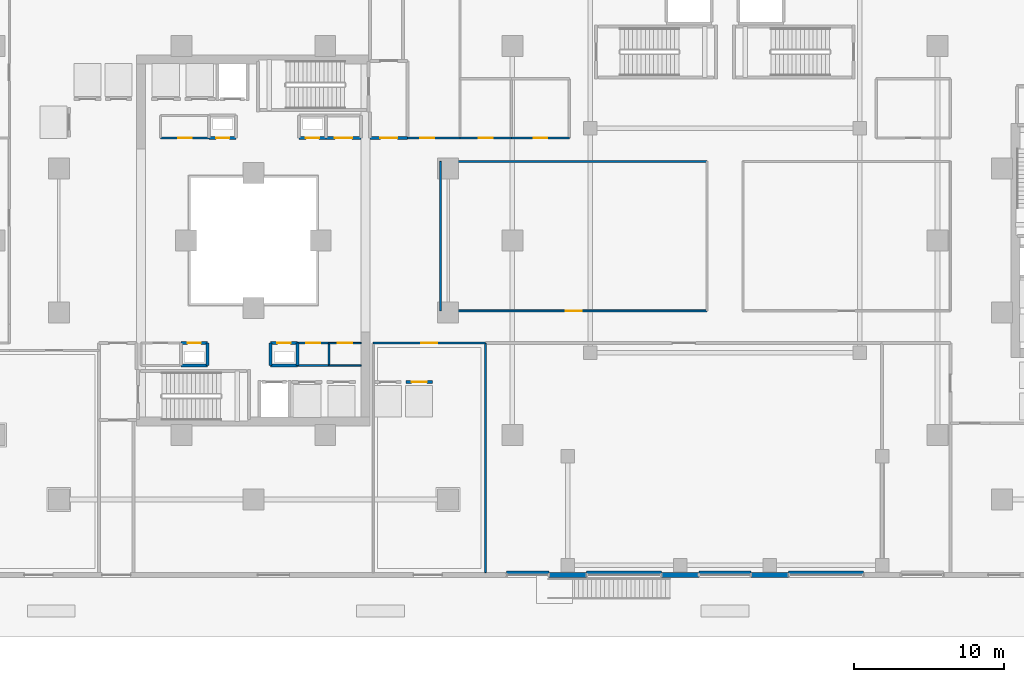
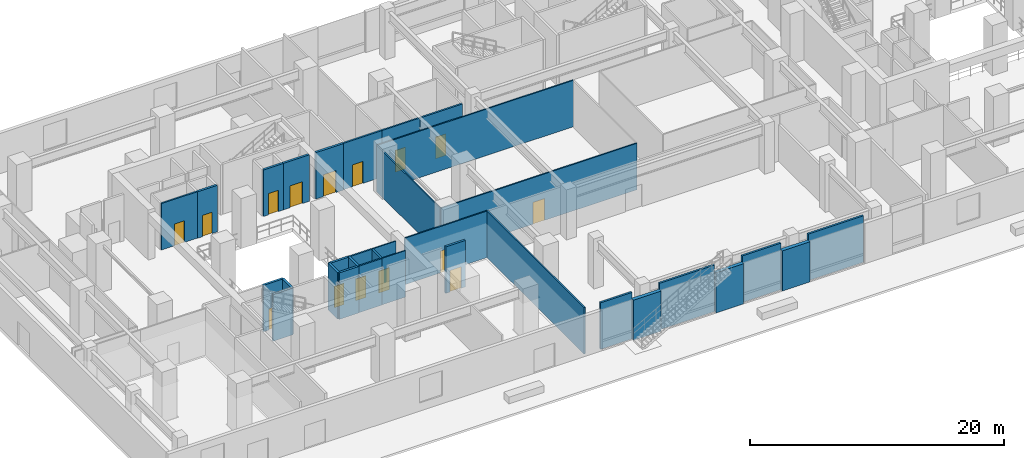
# One storey, part 13 of 24: 33 walls, 15 doors, 15 openings.
"""IFC4 building model written with IfcOpenShell, lengths in metres."""

from ifc_helpers import new_model, si_unit, direction, frame, frame_2d, origin, place, context, subcontext, project, spatial, rectangle, extrude, material, layer, layer_set, type_object, element, fill, save


model = new_model("IFC4")

# Units and contexts
model_context = context("Model", 3, precision=1e-05, world=origin(), true_north=direction((0.0, 1.0)))
body_context = subcontext(model_context, "Body", "Model", "MODEL_VIEW")
ifc_project = project(units=[si_unit("LENGTHUNIT", "METRE"), si_unit("AREAUNIT", "SQUARE_METRE"), si_unit("VOLUMEUNIT", "CUBIC_METRE"), si_unit("PLANEANGLEUNIT", "RADIAN"), si_unit("MASSUNIT", "GRAM", prefix="KILO")], contexts=[model_context])

# Site, building, storey
site_placement = place(None, origin())
site = spatial("IfcSite", under=ifc_project, at=site_placement, CompositionType="ELEMENT")
building_placement = place(site_placement, origin())
building = spatial("IfcBuilding", under=site, at=building_placement, Name="Thornwick Lancets Civic Towers", CompositionType="ELEMENT")
storey_placement = place(building_placement, origin())
storey = spatial("IfcBuildingStorey", under=building, at=storey_placement, Name="L00", CompositionType="ELEMENT", Elevation=0.0)

# Wall, opening, door
ifc_material_1 = material(Name="Concrete blockwork C40/50", Category="masonry")
ifc_layer_1 = layer(ifc_material_1, 0.199951171875, Name="Concrete blockwork C40/50")
ifc_layer_set_1 = layer_set([ifc_layer_1], Name="Concrete blockwork C40/50")
wall_type_1 = type_object("IfcWallType", Name="WALL_COMP_200", PredefinedType="STANDARD", material=ifc_layer_set_1)
wall_1_placement = place(storey_placement, frame((35.679931640625, 17.550048828125, 0.0), z_axis=(0.0, 0.0, 1.0), x_axis=(1.0, 0.0, 0.0)))
wall_1 = element("IfcWall", 1, at=wall_1_placement, inside=storey, type_object=wall_type_1, Name="L00 Hoistway Front Wall PL-AL3", PredefinedType="STANDARD", context=body_context, shape_type="SweptSolid", body=[
    extrude(rectangle(XDim=1.7900390625, YDim=0.199951171875, at=frame_2d((0.89501953125, 0.0))), origin(), (0.0, 0.0, 1.0), 4.4599609375),
])
opening_1_placement = place(wall_1_placement, frame((0.385009765625, 0.0, 0.0)))
opening_1 = element("IfcOpeningElement", 2, at=opening_1_placement, cuts=wall_1, Name="Opening LD-PL-AL3", PredefinedType="OPENING", context=body_context, shape_type="SweptSolid", body=[
    extrude(rectangle(XDim=1.02001953125, YDim=2.06005859375, at=frame_2d((0.510009765625, 1.030029296875))), frame((0.0, 0.10986328125, 0.0), z_axis=(0.0, -1.0, 0.0), x_axis=(1.0, 0.0, 0.0)), (0.0, 0.0, 1.0), 0.219970703125),
])
ifc_material_2 = material(Name="Brushed bronze stainless steel", Category="steel")
door_type_1 = type_object("IfcDoorType", Name="DOOR_LIFT_SLIDE", OperationType="SLIDING_TO_LEFT", PredefinedType="DOOR", material=ifc_material_2)
door_1_placement = place(opening_1_placement, origin())
door_1 = element("IfcDoor", 3, at=door_1_placement, inside=storey, type_object=door_type_1, Name="L00 Sliding Lift Landing Door LD-PL-AL3", OperationType="SLIDING_TO_LEFT", OverallHeight=2.06005859375, OverallWidth=1.02001953125, PredefinedType="DOOR", context=body_context, shape_type="SweptSolid", body=[
    extrude(rectangle(XDim=1.02001953125, YDim=2.06005859375, at=frame_2d((0.510009765625, 1.030029296875))), frame((0.0, 0.02490234375, 0.0), z_axis=(0.0, -1.0, 0.0), x_axis=(1.0, 0.0, 0.0)), (0.0, 0.0, 1.0), 0.050048828125),
])
fill(opening_1, door_1)

wall_2_placement = place(storey_placement, frame((33.300048828125, 33.85009765625, 0.0), z_axis=(0.0, 0.0, 1.0), x_axis=(1.0, 0.0, 0.0)))
wall_2 = element("IfcWall", 4, at=wall_2_placement, inside=storey, type_object=wall_type_1, Name="L00 Partition L00-A-FFLOB2 E1", PredefinedType="STANDARD", context=body_context, shape_type="SweptSolid", body=[
    extrude(rectangle(XDim=2.5, YDim=0.199951171875, at=frame_2d((1.25, 0.0))), origin(), (0.0, 0.0, 1.0), 4.4599609375),
])
opening_2_placement = place(wall_2_placement, frame((0.675048828125, 0.0, 0.0)))
opening_2 = element("IfcOpeningElement", 5, at=opening_2_placement, cuts=wall_2, Name="Opening D-L00-0046", PredefinedType="OPENING", context=body_context, shape_type="SweptSolid", body=[
    extrude(rectangle(XDim=1.14990234375, YDim=2.10009765625, at=frame_2d((0.574951171875, 1.050048828125))), frame((0.0, 0.10986328125, 0.0), z_axis=(0.0, -1.0, 0.0), x_axis=(1.0, 0.0, 0.0)), (0.0, 0.0, 1.0), 0.219970703125),
])
ifc_material_3 = material(Name="Glazed fire-resisting steel", Category="steel")
door_type_2 = type_object("IfcDoorType", Name="DOOR_LOBBY_FD60", OperationType="NOTDEFINED", PredefinedType="DOOR", material=ifc_material_3)
door_2_placement = place(opening_2_placement, origin())
door_2 = element("IfcDoor", 6, at=door_2_placement, inside=storey, type_object=door_type_2, Name="L00 North Firefighting Lobby 2 Door", OperationType="SINGLE_SWING_LEFT", OverallHeight=2.10009765625, OverallWidth=1.14990234375, PredefinedType="DOOR", context=body_context, shape_type="SweptSolid", body=[
    extrude(rectangle(XDim=1.14990234375, YDim=2.10009765625, at=frame_2d((0.574951171875, 1.050048828125))), frame((0.0, 0.02490234375, 0.0), z_axis=(0.0, -1.0, 0.0), x_axis=(1.0, 0.0, 0.0)), (0.0, 0.0, 1.0), 0.050048828125),
])
fill(opening_2, door_2)

# Walls
wall_3_placement = place(storey_placement, frame((26.64990234375, 18.64990234375, 0.0), z_axis=(0.0, 0.0, 1.0), x_axis=(1.0, 0.0, 0.0)))
element("IfcWall", 7, at=wall_3_placement, inside=storey, type_object=wall_type_1, Name="L00 Partition L00-A-DUCT1 E1", PredefinedType="STANDARD", context=body_context, shape_type="SweptSolid", body=[
    extrude(rectangle(XDim=1.800048828125, YDim=0.199951171875, at=frame_2d((0.89990234375, 0.0))), origin(), (0.0, 0.0, 1.0), 4.4599609375),
])
wall_4_placement = place(storey_placement, frame((28.449951171875, 18.64990234375, 0.0), z_axis=(0.0, 0.0, 1.0), x_axis=(0.0, 1.0, 0.0)))
element("IfcWall", 8, at=wall_4_placement, inside=storey, type_object=wall_type_1, Name="L00 Partition L00-A-DUCT1 E2", PredefinedType="STANDARD", context=body_context, shape_type="SweptSolid", body=[
    extrude(rectangle(XDim=1.5, YDim=0.199951171875, at=frame_2d((0.75, 0.0))), origin(), (0.0, 0.0, 1.0), 4.4599609375),
])

# Wall, opening, door
wall_5_placement = place(storey_placement, frame((28.449951171875, 20.14990234375, 0.0), z_axis=(0.0, 0.0, 1.0), x_axis=(-1.0, 0.0, 0.0)))
wall_5 = element("IfcWall", 9, at=wall_5_placement, inside=storey, type_object=wall_type_1, Name="L00 Partition L00-A-DUCT1 E3", PredefinedType="STANDARD", context=body_context, shape_type="SweptSolid", body=[
    extrude(rectangle(XDim=1.800048828125, YDim=0.199951171875, at=frame_2d((0.89990234375, 0.0))), origin(), (0.0, 0.0, 1.0), 4.4599609375),
])
opening_3_placement = place(wall_5_placement, frame((0.4599609375, 0.0, 0.0)))
opening_3 = element("IfcOpeningElement", 10, at=opening_3_placement, cuts=wall_5, Name="Opening D-L00-0047", PredefinedType="OPENING", context=body_context, shape_type="SweptSolid", body=[
    extrude(rectangle(XDim=0.8798828125, YDim=2.0400390625, at=frame_2d((0.43994140625, 1.02001953125))), frame((0.0, 0.10986328125, 0.0), z_axis=(0.0, -1.0, 0.0), x_axis=(1.0, 0.0, 0.0)), (0.0, 0.0, 1.0), 0.219970703125),
])
ifc_material_4 = material(Name="Steel riser access doorset", Category="steel")
door_type_3 = type_object("IfcDoorType", Name="DOOR_RISER_850", OperationType="NOTDEFINED", PredefinedType="DOOR", material=ifc_material_4)
door_3_placement = place(opening_3_placement, origin())
door_3 = element("IfcDoor", 11, at=door_3_placement, inside=storey, type_object=door_type_3, Name="L00 South Service Duct 1 Door", OperationType="SINGLE_SWING_RIGHT", OverallHeight=2.0400390625, OverallWidth=0.8798828125, PredefinedType="DOOR", context=body_context, shape_type="SweptSolid", body=[
    extrude(rectangle(XDim=0.8798828125, YDim=2.0400390625, at=frame_2d((0.43994140625, 1.02001953125))), frame((0.0, 0.02490234375, 0.0), z_axis=(0.0, -1.0, 0.0), x_axis=(1.0, 0.0, 0.0)), (0.0, 0.0, 1.0), 0.050048828125),
])
fill(opening_3, door_3)

# Walls
wall_6_placement = place(storey_placement, frame((26.64990234375, 20.14990234375, 0.0), z_axis=(0.0, 0.0, 1.0), x_axis=(0.0, -1.0, 0.0)))
element("IfcWall", 12, at=wall_6_placement, inside=storey, type_object=wall_type_1, Name="L00 Partition L00-A-DUCT1 E4", PredefinedType="STANDARD", context=body_context, shape_type="SweptSolid", body=[
    extrude(rectangle(XDim=1.5, YDim=0.199951171875, at=frame_2d((0.75, 0.0))), origin(), (0.0, 0.0, 1.0), 4.4599609375),
])
wall_7_placement = place(storey_placement, frame((20.64990234375, 18.64990234375, 0.0), z_axis=(0.0, 0.0, 1.0), x_axis=(1.0, 0.0, 0.0)))
element("IfcWall", 13, at=wall_7_placement, inside=storey, type_object=wall_type_1, Name="L00 Partition L00-A-RISER1 E1", PredefinedType="STANDARD", context=body_context, shape_type="SweptSolid", body=[
    extrude(rectangle(XDim=1.800048828125, YDim=0.199951171875, at=frame_2d((0.89990234375, 0.0))), origin(), (0.0, 0.0, 1.0), 4.4599609375),
])
wall_8_placement = place(storey_placement, frame((22.449951171875, 18.64990234375, 0.0), z_axis=(0.0, 0.0, 1.0), x_axis=(0.0, 1.0, 0.0)))
element("IfcWall", 14, at=wall_8_placement, inside=storey, type_object=wall_type_1, Name="L00 Partition L00-A-RISER1 E2", PredefinedType="STANDARD", context=body_context, shape_type="SweptSolid", body=[
    extrude(rectangle(XDim=1.5, YDim=0.199951171875, at=frame_2d((0.75, 0.0))), origin(), (0.0, 0.0, 1.0), 4.4599609375),
])

# Wall, opening, door
wall_9_placement = place(storey_placement, frame((22.449951171875, 20.14990234375, 0.0), z_axis=(0.0, 0.0, 1.0), x_axis=(-1.0, 0.0, 0.0)))
wall_9 = element("IfcWall", 15, at=wall_9_placement, inside=storey, type_object=wall_type_1, Name="L00 Partition L00-A-RISER1 E3", PredefinedType="STANDARD", context=body_context, shape_type="SweptSolid", body=[
    extrude(rectangle(XDim=1.800048828125, YDim=0.199951171875, at=frame_2d((0.89990234375, 0.0))), origin(), (0.0, 0.0, 1.0), 4.4599609375),
])
opening_4_placement = place(wall_9_placement, frame((0.4599609375, 0.0, 0.0)))
opening_4 = element("IfcOpeningElement", 16, at=opening_4_placement, cuts=wall_9, Name="Opening D-L00-0048", PredefinedType="OPENING", context=body_context, shape_type="SweptSolid", body=[
    extrude(rectangle(XDim=0.8798828125, YDim=2.0400390625, at=frame_2d((0.43994140625, 1.02001953125))), frame((0.0, 0.10986328125, 0.0), z_axis=(0.0, -1.0, 0.0), x_axis=(1.0, 0.0, 0.0)), (0.0, 0.0, 1.0), 0.219970703125),
])
door_4_placement = place(opening_4_placement, origin())
door_4 = element("IfcDoor", 17, at=door_4_placement, inside=storey, type_object=door_type_3, Name="L00 South Electrical Riser 1 Door", OperationType="SINGLE_SWING_LEFT", OverallHeight=2.0400390625, OverallWidth=0.8798828125, PredefinedType="DOOR", context=body_context, shape_type="SweptSolid", body=[
    extrude(rectangle(XDim=0.8798828125, YDim=2.0400390625, at=frame_2d((0.43994140625, 1.02001953125))), frame((0.0, 0.02490234375, 0.0), z_axis=(0.0, -1.0, 0.0), x_axis=(1.0, 0.0, 0.0)), (0.0, 0.0, 1.0), 0.050048828125),
])
fill(opening_4, door_4)

wall_10_placement = place(storey_placement, frame((22.550048828125, 33.85009765625, 0.0), z_axis=(0.0, 0.0, 1.0), x_axis=(1.0, 0.0, 0.0)))
wall_10 = element("IfcWall", 18, at=wall_10_placement, inside=storey, type_object=wall_type_1, Name="L00 Partition L00-A-DUCT2 E1", PredefinedType="STANDARD", context=body_context, shape_type="SweptSolid", body=[
    extrude(rectangle(XDim=1.800048828125, YDim=0.199951171875, at=frame_2d((0.89990234375, 0.0))), origin(), (0.0, 0.0, 1.0), 4.4599609375),
])
opening_5_placement = place(wall_10_placement, frame((0.4599609375, 0.0, 0.0)))
opening_5 = element("IfcOpeningElement", 19, at=opening_5_placement, cuts=wall_10, Name="Opening D-L00-0049", PredefinedType="OPENING", context=body_context, shape_type="SweptSolid", body=[
    extrude(rectangle(XDim=0.8798828125, YDim=2.0400390625, at=frame_2d((0.43994140625, 1.02001953125))), frame((0.0, 0.10986328125, 0.0), z_axis=(0.0, -1.0, 0.0), x_axis=(1.0, 0.0, 0.0)), (0.0, 0.0, 1.0), 0.219970703125),
])
door_5_placement = place(opening_5_placement, origin())
door_5 = element("IfcDoor", 20, at=door_5_placement, inside=storey, type_object=door_type_3, Name="L00 North Service Duct 2 Door", OperationType="SINGLE_SWING_RIGHT", OverallHeight=2.0400390625, OverallWidth=0.8798828125, PredefinedType="DOOR", context=body_context, shape_type="SweptSolid", body=[
    extrude(rectangle(XDim=0.8798828125, YDim=2.0400390625, at=frame_2d((0.43994140625, 1.02001953125))), frame((0.0, 0.02490234375, 0.0), z_axis=(0.0, -1.0, 0.0), x_axis=(1.0, 0.0, 0.0)), (0.0, 0.0, 1.0), 0.050048828125),
])
fill(opening_5, door_5)

wall_11_placement = place(storey_placement, frame((28.550048828125, 33.85009765625, 0.0), z_axis=(0.0, 0.0, 1.0), x_axis=(1.0, 0.0, 0.0)))
wall_11 = element("IfcWall", 21, at=wall_11_placement, inside=storey, type_object=wall_type_1, Name="L00 Partition L00-A-RISER2 E1", PredefinedType="STANDARD", context=body_context, shape_type="SweptSolid", body=[
    extrude(rectangle(XDim=1.800048828125, YDim=0.199951171875, at=frame_2d((0.89990234375, 0.0))), origin(), (0.0, 0.0, 1.0), 4.4599609375),
])
opening_6_placement = place(wall_11_placement, frame((0.4599609375, 0.0, 0.0)))
opening_6 = element("IfcOpeningElement", 22, at=opening_6_placement, cuts=wall_11, Name="Opening D-L00-0050", PredefinedType="OPENING", context=body_context, shape_type="SweptSolid", body=[
    extrude(rectangle(XDim=0.8798828125, YDim=2.0400390625, at=frame_2d((0.43994140625, 1.02001953125))), frame((0.0, 0.10986328125, 0.0), z_axis=(0.0, -1.0, 0.0), x_axis=(1.0, 0.0, 0.0)), (0.0, 0.0, 1.0), 0.219970703125),
])
door_6_placement = place(opening_6_placement, origin())
door_6 = element("IfcDoor", 23, at=door_6_placement, inside=storey, type_object=door_type_3, Name="L00 North Service Riser 2 Door", OperationType="SINGLE_SWING_LEFT", OverallHeight=2.0400390625, OverallWidth=0.8798828125, PredefinedType="DOOR", context=body_context, shape_type="SweptSolid", body=[
    extrude(rectangle(XDim=0.8798828125, YDim=2.0400390625, at=frame_2d((0.43994140625, 1.02001953125))), frame((0.0, 0.02490234375, 0.0), z_axis=(0.0, -1.0, 0.0), x_axis=(1.0, 0.0, 0.0)), (0.0, 0.0, 1.0), 0.050048828125),
])
fill(opening_6, door_6)

wall_12_placement = place(storey_placement, frame((32.699951171875, 33.85009765625, 0.0), z_axis=(0.0, 0.0, 1.0), x_axis=(-1.0, 0.0, 0.0)))
wall_12 = element("IfcWall", 24, at=wall_12_placement, inside=storey, type_object=wall_type_1, Name="L00 Partition L00-A-STR E2", PredefinedType="STANDARD", context=body_context, shape_type="SweptSolid", body=[
    extrude(rectangle(XDim=2.349853515625, YDim=0.199951171875, at=frame_2d((1.1748046875, 0.0))), origin(), (0.0, 0.0, 1.0), 4.4599609375),
])
opening_7_placement = place(wall_12_placement, frame((0.60009765625, 0.0, 0.0)))
opening_7 = element("IfcOpeningElement", 25, at=opening_7_placement, cuts=wall_12, Name="Opening D-L00-0055", PredefinedType="OPENING", context=body_context, shape_type="SweptSolid", body=[
    extrude(rectangle(XDim=1.14990234375, YDim=2.10009765625, at=frame_2d((0.574951171875, 1.050048828125))), frame((0.0, 0.10986328125, 0.0), z_axis=(0.0, -1.0, 0.0), x_axis=(1.0, 0.0, 0.0)), (0.0, 0.0, 1.0), 0.219970703125),
])
door_7_placement = place(opening_7_placement, origin())
door_7 = element("IfcDoor", 26, at=door_7_placement, inside=storey, type_object=door_type_2, Name="L00 Tower A Core Equipment Store Door", OperationType="SINGLE_SWING_RIGHT", OverallHeight=2.10009765625, OverallWidth=1.14990234375, PredefinedType="DOOR", context=body_context, shape_type="SweptSolid", body=[
    extrude(rectangle(XDim=1.14990234375, YDim=2.10009765625, at=frame_2d((0.574951171875, 1.050048828125))), frame((0.0, 0.02490234375, 0.0), z_axis=(0.0, -1.0, 0.0), x_axis=(1.0, 0.0, 0.0)), (0.0, 0.0, 1.0), 0.050048828125),
])
fill(opening_7, door_7)

# Walls
ifc_material_5 = material(Name="Insulated buff terracotta rainscreen on concrete C40/50", Category="masonry")
ifc_layer_2 = layer(ifc_material_5, 0.320068359375, Name="Insulated buff terracotta rainscreen on concrete C40/50")
ifc_layer_set_2 = layer_set([ifc_layer_2], Name="Insulated buff terracotta rainscreen on concrete C40/50")
wall_type_2 = type_object("IfcWallType", Name="WALL_EXT_TERRA_320", PredefinedType="STANDARD", material=ifc_layer_set_2)
for number, where, z_axis, x_axis, name in (
    (27, (45.25, 4.659912109375, 0.0), (0.0, 0.0, 1.0), (1.0, 0.0, 0.0), "L00 Podium South Facade Pier 1"),
    (28, (52.75, 4.659912109375, 0.0), (0.0, 0.0, 1.0), (1.0, 0.0, 0.0), "L00 Podium South Facade Pier 2"),
    (29, (58.75, 4.659912109375, 0.0), (0.0, 0.0, 1.0), (1.0, 0.0, 0.0), "L00 Podium South Facade Pier 3"),
):
    element("IfcWall", number, at=place(storey_placement, frame(where, z_axis=z_axis, x_axis=x_axis)), inside=storey, type_object=wall_type_2, Name=name, PredefinedType="STANDARD", context=body_context, shape_type="SweptSolid", body=[
        extrude(rectangle(XDim=2.5, YDim=0.320068359375, at=frame_2d((1.25, 0.0))), origin(), (0.0, 0.0, 1.0), 3.860107421875),
    ])
ifc_material_6 = material(Name="Lightweight cellular office partition")
ifc_layer_3 = layer(ifc_material_6, 0.10009765625, Name="Lightweight cellular office partition")
ifc_layer_set_3 = layer_set([ifc_layer_3], Name="Lightweight cellular office partition")
wall_type_3 = type_object("IfcWallType", Name="WALL_PART_100", PredefinedType="PARTITIONING", material=ifc_layer_set_3)
wall_13_placement = place(storey_placement, frame((32.699951171875, 18.64990234375, 0.0), z_axis=(0.0, 0.0, 1.0), x_axis=(-1.0, 0.0, 0.0)))
element("IfcWall", 30, at=wall_13_placement, inside=storey, type_object=wall_type_3, Name="L00 Partition L00-A-CLN E2", PredefinedType="PARTITIONING", context=body_context, shape_type="SweptSolid", body=[
    extrude(rectangle(XDim=2.14990234375, YDim=0.10009765625, at=frame_2d((1.074951171875, 0.0))), origin(), (0.0, 0.0, 1.0), 4.4599609375),
])

# Wall, opening, door
wall_14_placement = place(storey_placement, frame((30.550048828125, 20.14990234375, 0.0), z_axis=(0.0, 0.0, 1.0), x_axis=(1.0, 0.0, 0.0)))
wall_14 = element("IfcWall", 31, at=wall_14_placement, inside=storey, type_object=wall_type_3, Name="L00 Partition L00-A-CLN E4", PredefinedType="PARTITIONING", context=body_context, shape_type="SweptSolid", body=[
    extrude(rectangle(XDim=2.14990234375, YDim=0.10009765625, at=frame_2d((1.074951171875, 0.0))), origin(), (0.0, 0.0, 1.0), 4.4599609375),
])
opening_8_placement = place(wall_14_placement, frame((0.60009765625, 0.0, 0.0)))
opening_8 = element("IfcOpeningElement", 32, at=opening_8_placement, cuts=wall_14, Name="Opening D-L00-0053", PredefinedType="OPENING", context=body_context, shape_type="SweptSolid", body=[
    extrude(rectangle(XDim=0.949951171875, YDim=2.10009765625, at=frame_2d((0.47509765625, 1.050048828125))), frame((0.0, 0.06005859375, 0.0), z_axis=(0.0, -1.0, 0.0), x_axis=(1.0, 0.0, 0.0)), (0.0, 0.0, 1.0), 0.1201171875),
])
ifc_material_7 = material(Name="European oak acoustic doorset")
door_type_4 = type_object("IfcDoorType", Name="DOOR_OFFICE_950", OperationType="NOTDEFINED", PredefinedType="DOOR", material=ifc_material_7)
door_8_placement = place(opening_8_placement, origin())
door_8 = element("IfcDoor", 33, at=door_8_placement, inside=storey, type_object=door_type_4, Name="L00 Tower A Cleaners Store Door", OperationType="SINGLE_SWING_RIGHT", OverallHeight=2.10009765625, OverallWidth=0.949951171875, PredefinedType="DOOR", context=body_context, shape_type="SweptSolid", body=[
    extrude(rectangle(XDim=0.949951171875, YDim=2.10009765625, at=frame_2d((0.47509765625, 1.050048828125))), frame((0.0, 0.02490234375, 0.0), z_axis=(0.0, -1.0, 0.0), x_axis=(1.0, 0.0, 0.0)), (0.0, 0.0, 1.0), 0.050048828125),
])
fill(opening_8, door_8)

ifc_material_8 = material(Name="Acoustic gypsum board partition")
ifc_layer_4 = layer(ifc_material_8, 0.1201171875, Name="Acoustic gypsum board partition")
ifc_layer_set_4 = layer_set([ifc_layer_4], Name="Acoustic gypsum board partition")
wall_type_4 = type_object("IfcWallType", Name="WALL_PART_120", PredefinedType="PARTITIONING", material=ifc_layer_set_4)
wall_15_placement = place(storey_placement, frame((33.5, 20.14990234375, 0.0), z_axis=(0.0, 0.0, 1.0), x_axis=(1.0, 0.0, 0.0)))
wall_15 = element("IfcWall", 34, at=wall_15_placement, inside=storey, type_object=wall_type_4, Name="L00 Partition L00-SEC E3", PredefinedType="PARTITIONING", context=body_context, shape_type="SweptSolid", body=[
    extrude(rectangle(XDim=7.5, YDim=0.1201171875, at=frame_2d((3.75, 0.0))), origin(), (0.0, 0.0, 1.0), 4.4599609375),
])
opening_9_placement = place(wall_15_placement, frame((3.22509765625, 0.0, 0.0)))
opening_9 = element("IfcOpeningElement", 35, at=opening_9_placement, cuts=wall_15, Name="Opening D-L00-0075", PredefinedType="OPENING", context=body_context, shape_type="SweptSolid", body=[
    extrude(rectangle(XDim=1.050048828125, YDim=2.10009765625, at=frame_2d((0.52490234375, 1.050048828125))), frame((0.0, 0.070068359375, 0.0), z_axis=(0.0, -1.0, 0.0), x_axis=(1.0, 0.0, 0.0)), (0.0, 0.0, 1.0), 0.14013671875),
])
ifc_material_9 = material(Name="Glazed European oak executive doorset")
door_type_5 = type_object("IfcDoorType", Name="DOOR_OFFICE_1050", OperationType="NOTDEFINED", PredefinedType="DOOR", material=ifc_material_9)
door_9_placement = place(opening_9_placement, origin())
door_9 = element("IfcDoor", 36, at=door_9_placement, inside=storey, type_object=door_type_5, Name="Civic Security Screening Vestibule Door", OperationType="SINGLE_SWING_RIGHT", OverallHeight=2.10009765625, OverallWidth=1.050048828125, PredefinedType="DOOR", context=body_context, shape_type="SweptSolid", body=[
    extrude(rectangle(XDim=1.050048828125, YDim=2.10009765625, at=frame_2d((0.52490234375, 1.050048828125))), frame((0.0, 0.02490234375, 0.0), z_axis=(0.0, -1.0, 0.0), x_axis=(1.0, 0.0, 0.0)), (0.0, 0.0, 1.0), 0.050048828125),
])
fill(opening_9, door_9)

# Wall
wall_16_placement = place(storey_placement, frame((41.0, 20.14990234375, 0.0), z_axis=(0.0, 0.0, 1.0), x_axis=(0.0, -1.0, 0.0)))
element("IfcWall", 37, at=wall_16_placement, inside=storey, type_object=wall_type_4, Name="L00 Partition L00-SEC E4", PredefinedType="PARTITIONING", context=body_context, shape_type="SweptSolid", body=[
    extrude(rectangle(XDim=15.329833984375, YDim=0.1201171875, at=frame_2d((7.6650390625, 0.0))), origin(), (0.0, 0.0, 1.0), 4.4599609375),
])

# Wall, opening, door
wall_17_placement = place(storey_placement, frame((55.800048828125, 22.300048828125, 0.0), z_axis=(0.0, 0.0, 1.0), x_axis=(-1.0, 0.0, 0.0)))
wall_17 = element("IfcWall", 38, at=wall_17_placement, inside=storey, type_object=wall_type_4, Name="L00 Partition L00-CENTW E1", PredefinedType="PARTITIONING", context=body_context, shape_type="SweptSolid", body=[
    extrude(rectangle(XDim=17.800048828125, YDim=0.1201171875, at=frame_2d((8.89990234375, 0.0))), origin(), (0.0, 0.0, 1.0), 4.4599609375),
])
opening_10_placement = place(wall_17_placement, frame((8.375, 0.0, 0.0)))
opening_10 = element("IfcOpeningElement", 39, at=opening_10_placement, cuts=wall_17, Name="Opening D-L00-0081", PredefinedType="OPENING", context=body_context, shape_type="SweptSolid", body=[
    extrude(rectangle(XDim=1.050048828125, YDim=2.10009765625, at=frame_2d((0.52490234375, 1.050048828125))), frame((0.0, 0.070068359375, 0.0), z_axis=(0.0, -1.0, 0.0), x_axis=(1.0, 0.0, 0.0)), (0.0, 0.0, 1.0), 0.14013671875),
])
door_10_placement = place(opening_10_placement, origin())
door_10 = element("IfcDoor", 40, at=door_10_placement, inside=storey, type_object=door_type_5, Name="Civic Credentials Desk Suite Door", OperationType="SINGLE_SWING_RIGHT", OverallHeight=2.10009765625, OverallWidth=1.050048828125, PredefinedType="DOOR", context=body_context, shape_type="SweptSolid", body=[
    extrude(rectangle(XDim=1.050048828125, YDim=2.10009765625, at=frame_2d((0.52490234375, 1.050048828125))), frame((0.0, 0.02490234375, 0.0), z_axis=(0.0, -1.0, 0.0), x_axis=(1.0, 0.0, 0.0)), (0.0, 0.0, 1.0), 0.050048828125),
])
fill(opening_10, door_10)

# Walls
wall_18_placement = place(storey_placement, frame((38.0, 22.300048828125, 0.0), z_axis=(0.0, 0.0, 1.0), x_axis=(0.0, 1.0, 0.0)))
element("IfcWall", 41, at=wall_18_placement, inside=storey, type_object=wall_type_4, Name="L00 Partition L00-CENTW E2", PredefinedType="PARTITIONING", context=body_context, shape_type="SweptSolid", body=[
    extrude(rectangle(XDim=9.97998046875, YDim=0.1201171875, at=frame_2d((4.989990234375, 0.0))), origin(), (0.0, 0.0, 1.0), 4.4599609375),
])
wall_19_placement = place(storey_placement, frame((38.0, 32.280029296875, 0.0), z_axis=(0.0, 0.0, 1.0), x_axis=(1.0, 0.0, 0.0)))
element("IfcWall", 42, at=wall_19_placement, inside=storey, type_object=wall_type_4, Name="L00 Partition L00-CENTW E3", PredefinedType="PARTITIONING", context=body_context, shape_type="SweptSolid", body=[
    extrude(rectangle(XDim=17.800048828125, YDim=0.1201171875, at=frame_2d((8.89990234375, 0.0))), origin(), (0.0, 0.0, 1.0), 4.4599609375),
])
ifc_material_10 = material(Name="Twin-stud acoustic gypsum board")
ifc_layer_5 = layer(ifc_material_10, 0.14990234375, Name="Twin-stud acoustic gypsum board")
ifc_layer_set_5 = layer_set([ifc_layer_5], Name="Twin-stud acoustic gypsum board")
wall_type_5 = type_object("IfcWallType", Name="WALL_PART_150", PredefinedType="PARTITIONING", material=ifc_layer_set_5)
wall_20_placement = place(storey_placement, frame((30.550048828125, 20.14990234375, 0.0), z_axis=(0.0, 0.0, 1.0), x_axis=(0.0, -1.0, 0.0)))
element("IfcWall", 43, at=wall_20_placement, inside=storey, type_object=wall_type_5, Name="L00 Partition L00-A-MWC E1", PredefinedType="PARTITIONING", context=body_context, shape_type="SweptSolid", body=[
    extrude(rectangle(XDim=1.5, YDim=0.14990234375, at=frame_2d((0.75, 0.0))), origin(), (0.0, 0.0, 1.0), 4.4599609375),
])
wall_21_placement = place(storey_placement, frame((30.550048828125, 18.64990234375, 0.0), z_axis=(0.0, 0.0, 1.0), x_axis=(-1.0, 0.0, 0.0)))
element("IfcWall", 44, at=wall_21_placement, inside=storey, type_object=wall_type_5, Name="L00 Partition L00-A-MWC E2", PredefinedType="PARTITIONING", context=body_context, shape_type="SweptSolid", body=[
    extrude(rectangle(XDim=2.10009765625, YDim=0.14990234375, at=frame_2d((1.050048828125, 0.0))), origin(), (0.0, 0.0, 1.0), 4.4599609375),
])

# Wall, opening, door
wall_22_placement = place(storey_placement, frame((28.449951171875, 20.14990234375, 0.0), z_axis=(0.0, 0.0, 1.0), x_axis=(1.0, 0.0, 0.0)))
wall_22 = element("IfcWall", 45, at=wall_22_placement, inside=storey, type_object=wall_type_5, Name="L00 Partition L00-A-MWC E4", PredefinedType="PARTITIONING", context=body_context, shape_type="SweptSolid", body=[
    extrude(rectangle(XDim=2.10009765625, YDim=0.14990234375, at=frame_2d((1.050048828125, 0.0))), origin(), (0.0, 0.0, 1.0), 4.4599609375),
])
opening_11_placement = place(wall_22_placement, frame((0.590087890625, 0.0, 0.0)))
opening_11 = element("IfcOpeningElement", 46, at=opening_11_placement, cuts=wall_22, Name="Opening D-L00-0052", PredefinedType="OPENING", context=body_context, shape_type="SweptSolid", body=[
    extrude(rectangle(XDim=0.919921875, YDim=2.080078125, at=frame_2d((0.4599609375, 1.0400390625))), frame((0.0, 0.0849609375, 0.0), z_axis=(0.0, -1.0, 0.0), x_axis=(1.0, 0.0, 0.0)), (0.0, 0.0, 1.0), 0.169921875),
])
ifc_material_11 = material(Name="Moisture-resistant oak doorset")
door_type_6 = type_object("IfcDoorType", Name="DOOR_WC_900", OperationType="NOTDEFINED", PredefinedType="DOOR", material=ifc_material_11)
door_11_placement = place(opening_11_placement, origin())
door_11 = element("IfcDoor", 47, at=door_11_placement, inside=storey, type_object=door_type_6, Name="L00 Tower A Male WC Door", OperationType="SINGLE_SWING_LEFT", OverallHeight=2.080078125, OverallWidth=0.919921875, PredefinedType="DOOR", context=body_context, shape_type="SweptSolid", body=[
    extrude(rectangle(XDim=0.919921875, YDim=2.080078125, at=frame_2d((0.4599609375, 1.0400390625))), frame((0.0, 0.02490234375, 0.0), z_axis=(0.0, -1.0, 0.0), x_axis=(1.0, 0.0, 0.0)), (0.0, 0.0, 1.0), 0.050048828125),
])
fill(opening_11, door_11)

wall_23_placement = place(storey_placement, frame((22.550048828125, 33.85009765625, 0.0), z_axis=(0.0, 0.0, 1.0), x_axis=(-1.0, 0.0, 0.0)))
wall_23 = element("IfcWall", 48, at=wall_23_placement, inside=storey, type_object=wall_type_5, Name="L00 Partition L00-A-FWC E4", PredefinedType="PARTITIONING", context=body_context, shape_type="SweptSolid", body=[
    extrude(rectangle(XDim=3.25, YDim=0.14990234375, at=frame_2d((1.625, 0.0))), origin(), (0.0, 0.0, 1.0), 4.4599609375),
])
opening_12_placement = place(wall_23_placement, frame((1.1650390625, 0.0, 0.0)))
opening_12 = element("IfcOpeningElement", 49, at=opening_12_placement, cuts=wall_23, Name="Opening D-L00-0054", PredefinedType="OPENING", context=body_context, shape_type="SweptSolid", body=[
    extrude(rectangle(XDim=0.919921875, YDim=2.080078125, at=frame_2d((0.4599609375, 1.0400390625))), frame((0.0, 0.0849609375, 0.0), z_axis=(0.0, -1.0, 0.0), x_axis=(1.0, 0.0, 0.0)), (0.0, 0.0, 1.0), 0.169921875),
])
door_12_placement = place(opening_12_placement, origin())
door_12 = element("IfcDoor", 50, at=door_12_placement, inside=storey, type_object=door_type_6, Name="L00 Tower A Female WC Door", OperationType="SINGLE_SWING_LEFT", OverallHeight=2.080078125, OverallWidth=0.919921875, PredefinedType="DOOR", context=body_context, shape_type="SweptSolid", body=[
    extrude(rectangle(XDim=0.919921875, YDim=2.080078125, at=frame_2d((0.4599609375, 1.0400390625))), frame((0.0, 0.02490234375, 0.0), z_axis=(0.0, -1.0, 0.0), x_axis=(1.0, 0.0, 0.0)), (0.0, 0.0, 1.0), 0.050048828125),
])
fill(opening_12, door_12)

wall_24_placement = place(storey_placement, frame((39.300048828125, 33.85009765625, 0.0), z_axis=(0.0, 0.0, 1.0), x_axis=(1.0, 0.0, 0.0)))
wall_24 = element("IfcWall", 51, at=wall_24_placement, inside=storey, type_object=wall_type_5, Name="L00 Partition L00-POD-MWC E1", PredefinedType="PARTITIONING", context=body_context, shape_type="SweptSolid", body=[
    extrude(rectangle(XDim=3.449951171875, YDim=0.14990234375, at=frame_2d((1.72509765625, 0.0))), origin(), (0.0, 0.0, 1.0), 4.4599609375),
])
opening_13_placement = place(wall_24_placement, frame((1.264892578125, 0.0, 0.0)))
opening_13 = element("IfcOpeningElement", 52, at=opening_13_placement, cuts=wall_24, Name="Opening D-L00-0067", PredefinedType="OPENING", context=body_context, shape_type="SweptSolid", body=[
    extrude(rectangle(XDim=0.919921875, YDim=2.080078125, at=frame_2d((0.4599609375, 1.0400390625))), frame((0.0, 0.0849609375, 0.0), z_axis=(0.0, -1.0, 0.0), x_axis=(1.0, 0.0, 0.0)), (0.0, 0.0, 1.0), 0.169921875),
])
door_13_placement = place(opening_13_placement, origin())
door_13 = element("IfcDoor", 53, at=door_13_placement, inside=storey, type_object=door_type_6, Name="L00 Podium Public Male WC Door", OperationType="SINGLE_SWING_RIGHT", OverallHeight=2.080078125, OverallWidth=0.919921875, PredefinedType="DOOR", context=body_context, shape_type="SweptSolid", body=[
    extrude(rectangle(XDim=0.919921875, YDim=2.080078125, at=frame_2d((0.4599609375, 1.0400390625))), frame((0.0, 0.02490234375, 0.0), z_axis=(0.0, -1.0, 0.0), x_axis=(1.0, 0.0, 0.0)), (0.0, 0.0, 1.0), 0.050048828125),
])
fill(opening_13, door_13)

wall_25_placement = place(storey_placement, frame((46.60009765625, 33.85009765625, 0.0), z_axis=(0.0, 0.0, 1.0), x_axis=(-1.0, 0.0, 0.0)))
wall_25 = element("IfcWall", 54, at=wall_25_placement, inside=storey, type_object=wall_type_5, Name="L00 Partition L00-POD-AWC E2", PredefinedType="PARTITIONING", context=body_context, shape_type="SweptSolid", body=[
    extrude(rectangle(XDim=3.85009765625, YDim=0.14990234375, at=frame_2d((1.925048828125, 0.0))), origin(), (0.0, 0.0, 1.0), 4.4599609375),
])
opening_14_placement = place(wall_25_placement, frame((1.465087890625, 0.0, 0.0)))
opening_14 = element("IfcOpeningElement", 55, at=opening_14_placement, cuts=wall_25, Name="Opening D-L00-0069", PredefinedType="OPENING", context=body_context, shape_type="SweptSolid", body=[
    extrude(rectangle(XDim=0.919921875, YDim=2.080078125, at=frame_2d((0.4599609375, 1.0400390625))), frame((0.0, 0.0849609375, 0.0), z_axis=(0.0, -1.0, 0.0), x_axis=(1.0, 0.0, 0.0)), (0.0, 0.0, 1.0), 0.169921875),
])
door_14_placement = place(opening_14_placement, origin())
door_14 = element("IfcDoor", 56, at=door_14_placement, inside=storey, type_object=door_type_6, Name="L00 Podium Accessible WC Door", OperationType="SINGLE_SWING_RIGHT", OverallHeight=2.080078125, OverallWidth=0.919921875, PredefinedType="DOOR", context=body_context, shape_type="SweptSolid", body=[
    extrude(rectangle(XDim=0.919921875, YDim=2.080078125, at=frame_2d((0.4599609375, 1.0400390625))), frame((0.0, 0.02490234375, 0.0), z_axis=(0.0, -1.0, 0.0), x_axis=(1.0, 0.0, 0.0)), (0.0, 0.0, 1.0), 0.050048828125),
])
fill(opening_14, door_14)

wall_26_placement = place(storey_placement, frame((39.300048828125, 33.85009765625, 0.0), z_axis=(0.0, 0.0, 1.0), x_axis=(-1.0, 0.0, 0.0)))
wall_26 = element("IfcWall", 57, at=wall_26_placement, inside=storey, type_object=wall_type_5, Name="L00 Partition L00-ARCHW E7", PredefinedType="PARTITIONING", context=body_context, shape_type="SweptSolid", body=[
    extrude(rectangle(XDim=3.5, YDim=0.14990234375, at=frame_2d((1.75, 0.0))), origin(), (0.0, 0.0, 1.0), 4.4599609375),
])
opening_15_placement = place(wall_26_placement, frame((1.715087890625, 0.0, 0.0)))
opening_15 = element("IfcOpeningElement", 58, at=opening_15_placement, cuts=wall_26, Name="Opening D-L00-0085", PredefinedType="OPENING", context=body_context, shape_type="SweptSolid", body=[
    extrude(rectangle(XDim=0.949951171875, YDim=2.10009765625, at=frame_2d((0.47509765625, 1.050048828125))), frame((0.0, 0.0849609375, 0.0), z_axis=(0.0, -1.0, 0.0), x_axis=(1.0, 0.0, 0.0)), (0.0, 0.0, 1.0), 0.169921875),
])
door_15_placement = place(opening_15_placement, origin())
door_15 = element("IfcDoor", 59, at=door_15_placement, inside=storey, type_object=door_type_4, Name="Municipal Gazette Archive Door", OperationType="SINGLE_SWING_RIGHT", OverallHeight=2.10009765625, OverallWidth=0.949951171875, PredefinedType="DOOR", context=body_context, shape_type="SweptSolid", body=[
    extrude(rectangle(XDim=0.949951171875, YDim=2.10009765625, at=frame_2d((0.47509765625, 1.050048828125))), frame((0.0, 0.02490234375, 0.0), z_axis=(0.0, -1.0, 0.0), x_axis=(1.0, 0.0, 0.0)), (0.0, 0.0, 1.0), 0.050048828125),
])
fill(opening_15, door_15)

# Walls
ifc_material_12 = material(Name="High-isolation twin-stud acoustic gypsum")
ifc_layer_6 = layer(ifc_material_12, 0.179931640625, Name="High-isolation twin-stud acoustic gypsum")
ifc_layer_set_6 = layer_set([ifc_layer_6], Name="High-isolation twin-stud acoustic gypsum")
wall_type_6 = type_object("IfcWallType", Name="WALL_PART_180", PredefinedType="PARTITIONING", material=ifc_layer_set_6)
wall_27_placement = place(storey_placement, frame((66.25, 4.820068359375, 0.0), z_axis=(0.0, 0.0, 1.0), x_axis=(-1.0, 0.0, 0.0)))
element("IfcWall", 60, at=wall_27_placement, inside=storey, type_object=wall_type_6, Name="L00 Partition L00-HALL E1", PredefinedType="PARTITIONING", context=body_context, shape_type="SweptSolid", body=[
    extrude(rectangle(XDim=5.0, YDim=0.179931640625, at=frame_2d((2.5, 0.0))), origin(), (0.0, 0.0, 1.0), 4.4599609375),
])
wall_28_placement = place(storey_placement, frame((58.75, 4.820068359375, 0.0), z_axis=(0.0, 0.0, 1.0), x_axis=(-1.0, 0.0, 0.0)))
element("IfcWall", 61, at=wall_28_placement, inside=storey, type_object=wall_type_6, Name="L00 Partition L00-HALL E1", PredefinedType="PARTITIONING", context=body_context, shape_type="SweptSolid", body=[
    extrude(rectangle(XDim=3.5, YDim=0.179931640625, at=frame_2d((1.75, 0.0))), origin(), (0.0, 0.0, 1.0), 4.4599609375),
])
wall_29_placement = place(storey_placement, frame((52.75, 4.820068359375, 0.0), z_axis=(0.0, 0.0, 1.0), x_axis=(-1.0, 0.0, 0.0)))
element("IfcWall", 62, at=wall_29_placement, inside=storey, type_object=wall_type_6, Name="L00 Partition L00-HALL E1", PredefinedType="PARTITIONING", context=body_context, shape_type="SweptSolid", body=[
    extrude(rectangle(XDim=5.0, YDim=0.179931640625, at=frame_2d((2.5, 0.0))), origin(), (0.0, 0.0, 1.0), 4.4599609375),
])
wall_30_placement = place(storey_placement, frame((45.25, 4.820068359375, 0.0), z_axis=(0.0, 0.0, 1.0), x_axis=(-1.0, 0.0, 0.0)))
element("IfcWall", 63, at=wall_30_placement, inside=storey, type_object=wall_type_6, Name="L00 Partition L00-HALL E1", PredefinedType="PARTITIONING", context=body_context, shape_type="SweptSolid", body=[
    extrude(rectangle(XDim=2.85009765625, YDim=0.179931640625, at=frame_2d((1.425048828125, 0.0))), origin(), (0.0, 0.0, 1.0), 4.4599609375),
])

save(model, "model.ifc")
